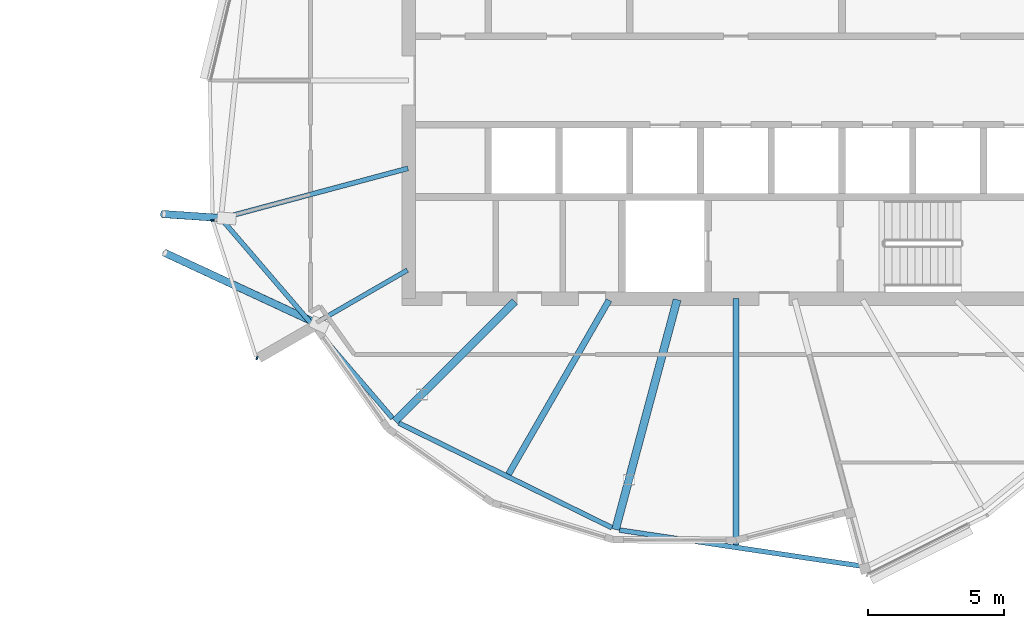
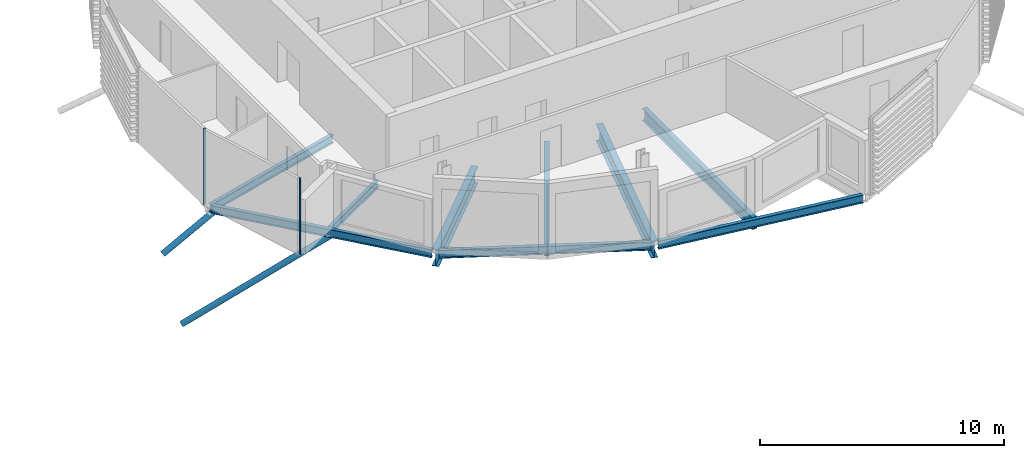
# One storey, part 9 of 33: 9 beams, 4 members, 1 element without a shape of its own.
"""IFC4 building model written with IfcOpenShell, lengths in metres."""

from ifc_helpers import new_model, si_unit, direction, frame, origin, origin_2d, place, context, subcontext, project, spatial, rectangle, hollow_circle, i_section, extrude, clip, halfspace, material, material_profile, profile_set, type_object, element, aggregate, save


model = new_model("IFC4")

# Units and contexts
model_context = context("Model", 3, precision=1e-05, world=origin(), true_north=direction((0.0, 1.0)))
body_context = subcontext(model_context, "Body", "Model", "MODEL_VIEW")
ifc_project = project(units=[si_unit("LENGTHUNIT", "METRE"), si_unit("AREAUNIT", "SQUARE_METRE"), si_unit("VOLUMEUNIT", "CUBIC_METRE"), si_unit("PLANEANGLEUNIT", "RADIAN"), si_unit("MASSUNIT", "GRAM", prefix="KILO")], contexts=[model_context])

# Site, building, storey
site_placement = place(None, origin())
site = spatial("IfcSite", under=ifc_project, at=site_placement, CompositionType="ELEMENT")
building_placement = place(site_placement, origin())
building = spatial("IfcBuilding", under=site, at=building_placement, Name="Rimbun Link Towers", CompositionType="ELEMENT")
storey_placement = place(building_placement, frame((0.0, 0.0, 237.10009765625)))
storey = spatial("IfcBuildingStorey", under=building, at=storey_placement, Name="L58", CompositionType="ELEMENT", Elevation=237.10009765625)

# Curtain wall, members
ifc_material_1 = material(Name="Aluminium 6063-T6 and low-iron glass", Category="aluminium")
curtain_wall_type = type_object("IfcCurtainWallType", Name="CW1-Z4 unitised vision wall (zone 4)", PredefinedType="NOTDEFINED", material=ifc_material_1)
curtain_wall_placement = place(storey_placement, origin())
curtain_wall = element("IfcCurtainWall", 1, at=curtain_wall_placement, inside=storey, type_object=curtain_wall_type, Name="CW1 L58 T2", PredefinedType="NOTDEFINED")
ifc_material_2 = material(Name="Aluminium 6063-T6", Category="aluminium")
ifc_material_profile_1 = material_profile(ifc_material_2, rectangle(XDim=0.1201171875, YDim=0.06005859375, at=origin_2d()), Name="MULLION 60X120")
ifc_profile_set_1 = profile_set([ifc_material_profile_1], Name="Aluminium 6063-T6")
member_type_1 = type_object("IfcMemberType", Name="CW1 mullion 60X120", PredefinedType="MULLION", material=ifc_profile_set_1)
member_1_placement = place(storey_placement, frame((12.560546875, -5.1357421875, 0.0), z_axis=(0.0, 0.0, 1.0), x_axis=(-0.98650195774, -0.163749465266, 0.0)))
member_1 = element("IfcMember", 2, at=member_1_placement, type_object=member_type_1, Name="CW1 mullion", PredefinedType="MULLION", context=body_context, shape_type="SweptSolid", body=[
    extrude(rectangle(XDim=0.1201171875, YDim=0.06005859375, at=origin_2d()), origin(), (0.0, 0.0, 1.0), 3.7998046875),
])
member_2_placement = place(storey_placement, frame((14.1884765625, -10.1826171875, 0.0), z_axis=(0.0, 0.0, 1.0), x_axis=(-0.361275452766, -0.93245913971, 0.0)))
member_2 = element("IfcMember", 3, at=member_2_placement, type_object=member_type_1, Name="CW1 mullion", PredefinedType="MULLION", context=body_context, shape_type="SweptSolid", body=[
    extrude(rectangle(XDim=0.1201171875, YDim=0.06005859375, at=origin_2d()), origin(), (0.0, 0.0, 1.0), 3.7998046875),
])
aggregate(curtain_wall, [member_1, member_2])

# Members
ifc_material_3 = material(Name="Steel S355J2H", Category="steel")
ifc_material_profile_2 = material_profile(ifc_material_3, hollow_circle(Radius=0.136474609375, WallThickness=0.012451171875, at=origin_2d()), Name="CHS 273x12.5")
ifc_profile_set_2 = profile_set([ifc_material_profile_2], Name="Steel S355J2H")
member_type_2 = type_object("IfcMemberType", Name="Floor edge link CHS 273x12.5", PredefinedType="BRACE", material=ifc_profile_set_2)
member_3_placement = place(storey_placement, frame((12.91650390625, -5.04638671875, -0.6630859375), z_axis=(-0.854748513282, 0.058436208346, -0.515742366493), x_axis=(-0.068207337384, -0.997671167834, 0.0)))
element("IfcMember", 4, at=member_3_placement, inside=storey, type_object=member_type_2, Name="Floor edge link T2 L58 10", PredefinedType="BRACE", context=body_context, shape_type="Clipping", body=[
    clip(extrude(hollow_circle(Radius=0.136474609375, WallThickness=0.012451171875, at=origin_2d()), frame((0.0, 0.0, -0.472900390625)), (0.0, 0.0, 1.0), 3.0380859375), halfspace(frame((0.0, 0.0, -0.22216796875), z_axis=(0.0, 0.856743725629, -0.515742366493)), False)),
])
member_4_placement = place(storey_placement, frame((16.3447265625, -8.894287109375, -0.610107421875), z_axis=(-0.756059917241, 0.351362560913, -0.552193582297), x_axis=(-0.421441583815, -0.90685555158, 0.0)))
element("IfcMember", 5, at=member_4_placement, inside=storey, type_object=member_type_2, Name="Floor edge link T2 L58 11", PredefinedType="BRACE", context=body_context, shape_type="Clipping", body=[
    clip(extrude(hollow_circle(Radius=0.136474609375, WallThickness=0.012451171875, at=origin_2d()), frame((0.0, 0.0, -0.430419921875)), (0.0, 0.0, 1.0), 7.749755859375), halfspace(frame((0.0, 0.0, -0.20458984375), z_axis=(0.0, 0.833715927442, -0.552193582297)), False)),
])

# Beams
ifc_material_4 = material(Name="Steel S355J2", Category="steel")
ifc_material_profile_3 = material_profile(ifc_material_4, i_section(OverallWidth=0.17138671875, OverallDepth=0.35498046875, WebThickness=0.00732421875, FlangeThickness=0.011474609375, at=origin_2d()), Name="UB 356x171x51")
ifc_profile_set_3 = profile_set([ifc_material_profile_3], Name="Steel S355J2")
beam_type_1 = type_object("IfcBeamType", Name="UB 356x171x51", PredefinedType="BEAM", material=ifc_profile_set_3)
beam_1_placement = place(storey_placement, frame((19.706298828125, -6.95361328125, -0.317626953125), z_axis=(-0.866044948257, -0.499966146452, 0.0), x_axis=(0.499966146452, -0.866044948257, 0.0)))
element("IfcBeam", 6, at=beam_1_placement, inside=storey, type_object=beam_type_1, Name="Radial beam T2 L58 11", PredefinedType="BEAM", context=body_context, shape_type="SweptSolid", body=[
    extrude(i_section(OverallWidth=0.17138671875, OverallDepth=0.35498046875, WebThickness=0.00732421875, FlangeThickness=0.011474609375, at=origin_2d()), origin(), (0.0, 0.0, 1.0), 3.931396484375),
])
ifc_material_5 = material(Name="Steel S355J2", Category="steel")
ifc_material_profile_4 = material_profile(ifc_material_5, i_section(OverallWidth=0.177978515625, OverallDepth=0.406494140625, WebThickness=0.0078125, FlangeThickness=0.0126953125, at=origin_2d()), Name="UB 406x178x60")
ifc_profile_set_4 = profile_set([ifc_material_profile_4], Name="Steel S355J2")
beam_type_2 = type_object("IfcBeamType", Name="UB 406x178x60", PredefinedType="BEAM", material=ifc_profile_set_4)
beam_2_placement = place(storey_placement, frame((19.72607421875, -3.2216796875, -0.34326171875), z_axis=(-0.965920881706, -0.258837497832, 0.0), x_axis=(0.258837497832, -0.965920881706, 0.0)))
element("IfcBeam", 7, at=beam_2_placement, inside=storey, type_object=beam_type_2, Name="Radial beam T2 L58 10", PredefinedType="BEAM", context=body_context, shape_type="SweptSolid", body=[
    extrude(i_section(OverallWidth=0.177978515625, OverallDepth=0.406494140625, WebThickness=0.0078125, FlangeThickness=0.0126953125, at=origin_2d()), origin(), (0.0, 0.0, 1.0), 7.099609375),
])
beam_3_placement = place(storey_placement, frame((12.933349609375, -5.135009765625, -0.34326171875), z_axis=(0.651491814227, -0.758655663655, 0.0), x_axis=(0.758655663655, 0.651491814227, 0.0)))
element("IfcBeam", 8, at=beam_3_placement, inside=storey, type_object=beam_type_2, Name="Edge beam T2 L58 10-12", PredefinedType="BEAM", context=body_context, shape_type="SweptSolid", body=[
    extrude(i_section(OverallWidth=0.177978515625, OverallDepth=0.406494140625, WebThickness=0.0078125, FlangeThickness=0.0126953125, at=origin_2d()), origin(), (0.0, 0.0, 1.0), 9.5546875),
])
beam_4_placement = place(storey_placement, frame((19.393798828125, -12.564208984375, -0.34326171875), z_axis=(0.897592117194, -0.440826940138, 0.0), x_axis=(0.440826940138, 0.897592117194, 0.0)))
element("IfcBeam", 9, at=beam_4_placement, inside=storey, type_object=beam_type_2, Name="Edge beam T2 L58 12-14", PredefinedType="BEAM", context=body_context, shape_type="SweptSolid", body=[
    extrude(i_section(OverallWidth=0.177978515625, OverallDepth=0.406494140625, WebThickness=0.0078125, FlangeThickness=0.0126953125, at=origin_2d()), origin(), (0.0, 0.0, 1.0), 8.70068359375),
])
beam_5_placement = place(storey_placement, frame((27.484619140625, -16.487548828125, -0.34326171875), z_axis=(0.989112382208, -0.147162139705, 0.0), x_axis=(0.147162139705, 0.989112382208, 0.0)))
element("IfcBeam", 10, at=beam_5_placement, inside=storey, type_object=beam_type_2, Name="Edge beam T2 L58 14-16", PredefinedType="BEAM", context=body_context, shape_type="SweptSolid", body=[
    extrude(i_section(OverallWidth=0.177978515625, OverallDepth=0.406494140625, WebThickness=0.0078125, FlangeThickness=0.0126953125, at=origin_2d()), origin(), (0.0, 0.0, 1.0), 9.0283203125),
])
ifc_material_6 = material(Name="Steel S355J2", Category="steel")
ifc_material_profile_5 = material_profile(ifc_material_6, i_section(OverallWidth=0.2275390625, OverallDepth=0.6025390625, WebThickness=0.010498046875, FlangeThickness=0.014892578125, at=origin_2d()), Name="UB 610x229x101")
ifc_profile_set_5 = profile_set([ifc_material_profile_5], Name="Steel S355J2")
beam_type_3 = type_object("IfcBeamType", Name="UB 610x229x101", PredefinedType="BEAM", material=ifc_profile_set_5)
beam_6_placement = place(storey_placement, frame((27.097900390625, -8.057861328125, -0.44140625), z_axis=(-0.499998775138, -0.866026110958, 0.0), x_axis=(0.866026110958, -0.499998775138, 0.0)))
element("IfcBeam", 11, at=beam_6_placement, inside=storey, type_object=beam_type_3, Name="Radial beam T2 L58 13", PredefinedType="BEAM", context=body_context, shape_type="SweptSolid", body=[
    extrude(i_section(OverallWidth=0.2275390625, OverallDepth=0.6025390625, WebThickness=0.010498046875, FlangeThickness=0.014892578125, at=origin_2d()), origin(), (0.0, 0.0, 1.0), 7.36767578125),
])
beam_7_placement = place(storey_placement, frame((31.75, -8.0009765625, -0.44140625), z_axis=(0.0, -1.0, 0.0), x_axis=(1.0, 0.0, 0.0)))
element("IfcBeam", 12, at=beam_7_placement, inside=storey, type_object=beam_type_3, Name="Radial beam T2 L58 15", PredefinedType="BEAM", context=body_context, shape_type="SweptSolid", body=[
    extrude(i_section(OverallWidth=0.2275390625, OverallDepth=0.6025390625, WebThickness=0.010498046875, FlangeThickness=0.014892578125, at=origin_2d()), origin(), (0.0, 0.0, 1.0), 9.0302734375),
])
ifc_material_7 = material(Name="Steel S355J2", Category="steel")
ifc_material_profile_6 = material_profile(ifc_material_7, i_section(OverallWidth=0.29248046875, OverallDepth=0.8408203125, WebThickness=0.0126953125, FlangeThickness=0.021728515625, at=origin_2d()), Name="UB 838x292x194")
ifc_profile_set_6 = profile_set([ifc_material_profile_6], Name="Steel S355J2")
beam_type_4 = type_object("IfcBeamType", Name="UB 838x292x194", PredefinedType="BEAM", material=ifc_profile_set_6)
beam_8_placement = place(storey_placement, frame((23.64599609375, -8.10400390625, -0.560546875), z_axis=(-0.707106781187, -0.707106781187, 0.0), x_axis=(0.707106781187, -0.707106781187, 0.0)))
element("IfcBeam", 13, at=beam_8_placement, inside=storey, type_object=beam_type_4, Name="Radial beam T2 L58 12", PredefinedType="BEAM", context=body_context, shape_type="SweptSolid", body=[
    extrude(i_section(OverallWidth=0.29248046875, OverallDepth=0.8408203125, WebThickness=0.0126953125, FlangeThickness=0.021728515625, at=origin_2d()), origin(), (0.0, 0.0, 1.0), 6.210693359375),
])
beam_9_placement = place(storey_placement, frame((29.595947265625, -8.038818359375, -0.560546875), z_axis=(-0.258824207585, -0.965924442991, 0.0), x_axis=(0.965924442991, -0.258824207585, 0.0)))
element("IfcBeam", 14, at=beam_9_placement, inside=storey, type_object=beam_type_4, Name="Radial beam T2 L58 14", PredefinedType="BEAM", context=body_context, shape_type="SweptSolid", body=[
    extrude(i_section(OverallWidth=0.29248046875, OverallDepth=0.8408203125, WebThickness=0.0126953125, FlangeThickness=0.021728515625, at=origin_2d()), origin(), (0.0, 0.0, 1.0), 8.724365234375),
])

save(model, "model.ifc")
